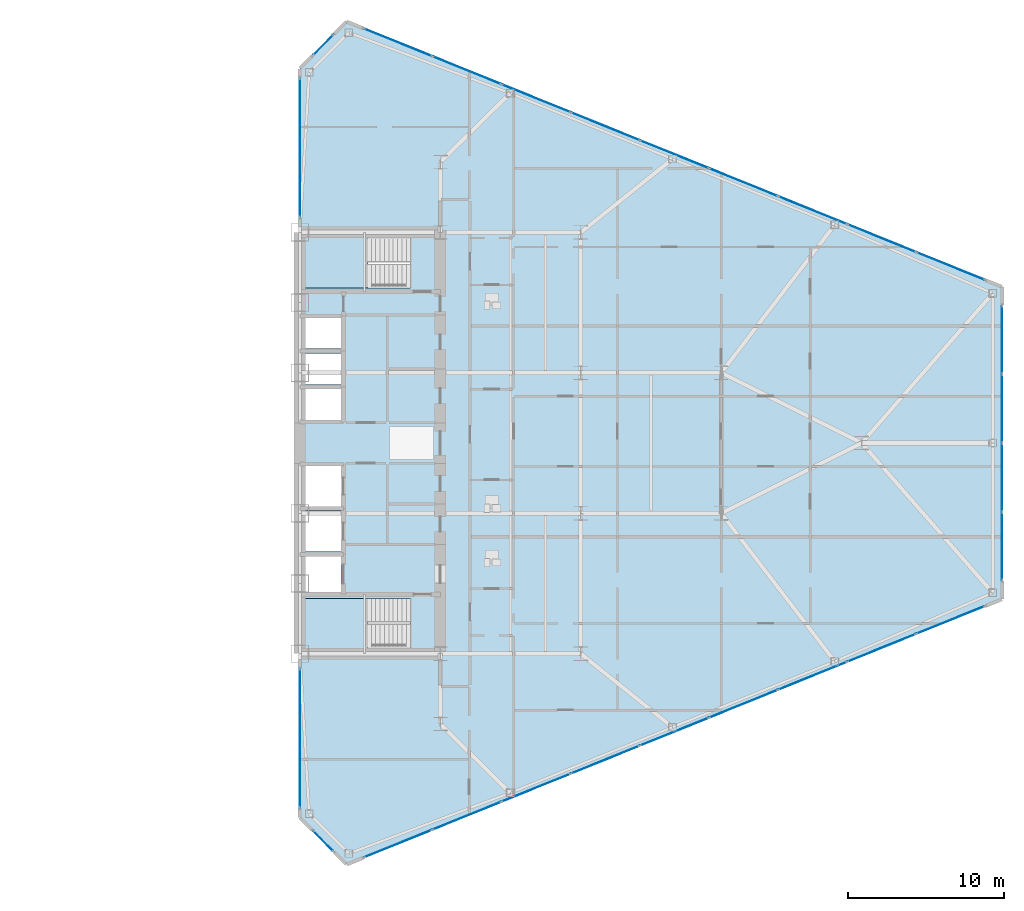
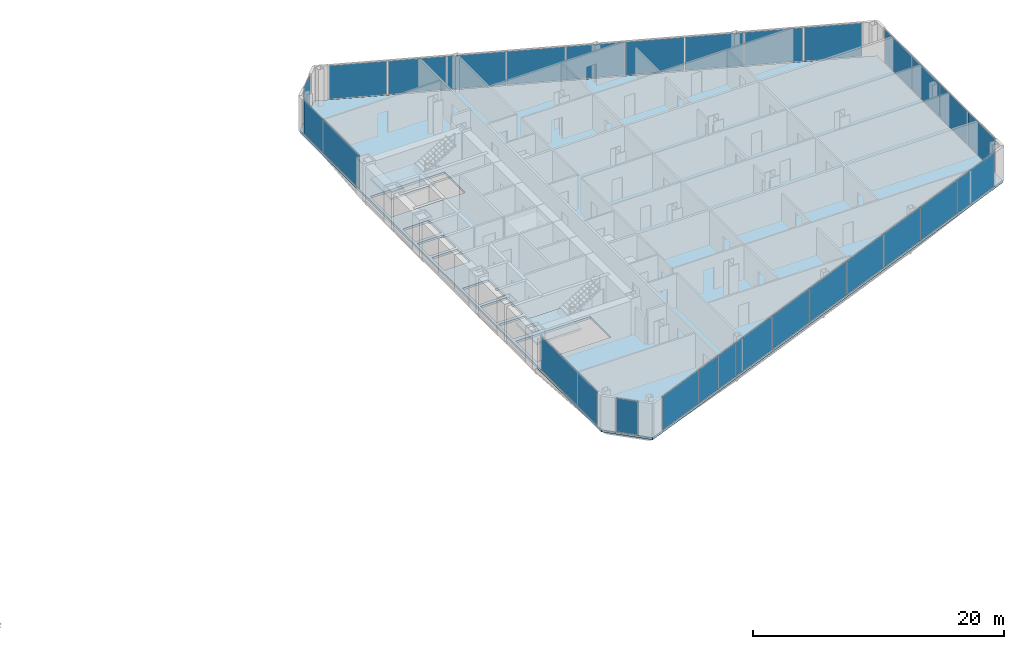
# One storey, part 16 of 25: 26 plates, 3 slabs, 9 elements without a shape of their own.
"""IFC4 building model written with IfcOpenShell, lengths in metres."""

from ifc_helpers import new_model, si_unit, direction, frame, origin, origin_2d, place, context, subcontext, project, spatial, polyline, rectangle, outline, extrude, source, transform, mapped, material, layer, layer_set, type_object, type_shapes, element, aggregate, save


model = new_model("IFC4")

# Units and contexts
model_context = context("Model", 3, precision=1e-05, world=origin(), true_north=direction((0.0, 1.0)))
body_context = subcontext(model_context, "Body", "Model", "MODEL_VIEW")
ifc_project = project(units=[si_unit("LENGTHUNIT", "METRE"), si_unit("AREAUNIT", "SQUARE_METRE"), si_unit("VOLUMEUNIT", "CUBIC_METRE"), si_unit("PLANEANGLEUNIT", "RADIAN"), si_unit("MASSUNIT", "GRAM", prefix="KILO")], contexts=[model_context])

# Site, building, storey
site_placement = place(None, origin())
site = spatial("IfcSite", under=ifc_project, at=site_placement, CompositionType="ELEMENT")
building_placement = place(site_placement, origin())
building = spatial("IfcBuilding", under=site, at=building_placement, Name="Seokmaru Belvedere", CompositionType="ELEMENT")
storey_placement = place(building_placement, frame((0.0, 0.0, 29.699951171875)))
storey = spatial("IfcBuildingStorey", under=building, at=storey_placement, Name="L07", CompositionType="ELEMENT", Elevation=29.699951171875)

# Stair, slab
ifc_material_1 = material(Name="Concrete C40 (40 MPa)", Category="concrete")
stair_type = type_object("IfcStairType", Name="Typical Tower Core Dog-Leg Stair 3600", PredefinedType="TWO_STRAIGHT_RUN_STAIR", material=ifc_material_1)
stair_1_placement = place(storey_placement, origin())
stair_1 = element("IfcStair", 1, at=stair_1_placement, inside=storey, type_object=stair_type, Name="L07 Special Escape Stair ST-E1", PredefinedType="TWO_STRAIGHT_RUN_STAIR")
ifc_layer_1 = layer(ifc_material_1, 0.199951171875)
ifc_layer_set_1 = layer_set([ifc_layer_1], Name="Concrete C40 (40 MPa)")
slab_type_1 = type_object("IfcSlabType", Name="Reinforced Concrete Stair Landing Slab 200", PredefinedType="LANDING", material=ifc_layer_set_1)
slab_1_placement = place(storey_placement, frame((0.0, 0.0, 1.60009765625)))
slab_1 = element("IfcSlab", 2, at=slab_1_placement, type_object=slab_type_1, Name="ST-E1 landing 1", PredefinedType="LANDING", context=body_context, shape_type="SweptSolid", body=[
    extrude(outline(polyline([(27.760009765625, -13.239990234375), (31.8798828125, -13.239990234375), (31.8798828125, -9.949951171875), (27.760009765625, -9.949951171875), (27.760009765625, -13.239990234375)])), origin(), (0.0, 0.0, 1.0), 0.199951171875),
])
aggregate(stair_1, [slab_1])

stair_2_placement = place(storey_placement, origin())
stair_2 = element("IfcStair", 3, at=stair_2_placement, inside=storey, type_object=stair_type, Name="L07 Special Escape Stair ST-E2", PredefinedType="TWO_STRAIGHT_RUN_STAIR")
slab_2_placement = place(storey_placement, frame((0.0, 0.0, 1.60009765625)))
slab_2 = element("IfcSlab", 4, at=slab_2_placement, type_object=slab_type_1, Name="ST-E2 landing 1", PredefinedType="LANDING", context=body_context, shape_type="SweptSolid", body=[
    extrude(outline(polyline([(27.760009765625, 9.949951171875), (31.8798828125, 9.949951171875), (31.8798828125, 13.239990234375), (27.760009765625, 13.239990234375), (27.760009765625, 9.949951171875)])), origin(), (0.0, 0.0, 1.0), 0.199951171875),
])
aggregate(stair_2, [slab_2])

# Slab
ifc_layer_2 = layer(ifc_material_1, 0.219970703125)
ifc_layer_set_2 = layer_set([ifc_layer_2], Name="Concrete C40 (40 MPa)")
slab_type_2 = type_object("IfcSlabType", Name="Typical Tower Composite Floor Slab 220", PredefinedType="FLOOR", material=ifc_layer_set_2)
slab_3_placement = place(storey_placement, frame((0.0, 0.0, -0.219970703125)))
element("IfcSlab", 5, at=slab_3_placement, inside=storey, type_object=slab_type_2, Name="L07 East Leg Floor Slab", PredefinedType="FLOOR", context=body_context, shape_type="SweptSolid", body=[
    extrude(outline(polyline([(30.5, -27.0), (72.5, -10.0), (72.5, 10.0), (30.5, 27.0), (27.5, 24.0), (27.5, -24.0), (30.5, -27.0)]), holes=[polyline([(27.75, -13.25), (34.60009765625, -13.25), (34.60009765625, -9.949951171875), (27.75, -9.949951171875), (27.75, -13.25)]), polyline([(27.75, 9.949951171875), (34.60009765625, 9.949951171875), (34.60009765625, 13.25), (27.75, 13.25), (27.75, 9.949951171875)]), polyline([(27.75, -9.550048828125), (30.14990234375, -9.550048828125), (30.14990234375, -7.25), (27.75, -7.25), (27.75, -9.550048828125)]), polyline([(27.75, -6.949951171875), (30.14990234375, -6.949951171875), (30.14990234375, -4.35009765625), (27.75, -4.35009765625), (27.75, -6.949951171875)]), polyline([(27.75, -4.050048828125), (30.14990234375, -4.050048828125), (30.14990234375, -1.449951171875), (27.75, -1.449951171875), (27.75, -4.050048828125)]), polyline([(27.75, 1.449951171875), (30.14990234375, 1.449951171875), (30.14990234375, 3.449951171875), (27.75, 3.449951171875), (27.75, 1.449951171875)]), polyline([(27.75, 3.75), (30.14990234375, 3.75), (30.14990234375, 5.75), (27.75, 5.75), (27.75, 3.75)]), polyline([(27.75, 6.050048828125), (30.14990234375, 6.050048828125), (30.14990234375, 8.050048828125), (27.75, 8.050048828125), (27.75, 6.050048828125)])]), origin(), (0.0, 0.0, 1.0), 0.219970703125),
])

# Curtain wall, plate
ifc_material_2 = material(Name="Bronze Triple Insulating Glass", Category="glass")
ifc_layer_3 = layer(ifc_material_2, 0.2099609375)
ifc_layer_set_3 = layer_set([ifc_layer_3], Name="Bronze Triple Insulating Glass")
curtain_wall_type = type_object("IfcCurtainWallType", Name="Low-Rise Faceted Crystal Curtain Wall System CW-2", PredefinedType="NOTDEFINED", material=ifc_layer_set_3)
curtain_wall_1_placement = place(storey_placement, origin())
curtain_wall_1 = element("IfcCurtainWall", 6, at=curtain_wall_1_placement, inside=storey, type_object=curtain_wall_type, Name="L07 Curtain Wall ESP_1", PredefinedType="NOTDEFINED")
ifc_layer_4 = layer(ifc_material_2, 0.035888671875)
ifc_layer_set_4 = layer_set([ifc_layer_4], Name="Bronze Triple Insulating Glass")
plate_type = type_object("IfcPlateType", Name="Bronze Triple Vision Glazing Panel 36", PredefinedType="CURTAIN_PANEL", material=ifc_layer_set_4)
shared_shape_1 = source(origin(), body_context, "Body", "SweptSolid", [
    extrude(rectangle(XDim=8.85009765625, YDim=0.035888671875, at=origin_2d()), origin(), (0.0, 0.0, 1.0), 3.239990234375),
])
plate_1_placement = place(storey_placement, frame((27.5, -18.929931640625, 0.06982421875), z_axis=(0.0, 0.0, 1.0), x_axis=(0.0, -1.0, 0.0)))
plate_1 = element("IfcPlate", 7, at=plate_1_placement, type_object=plate_type, Name="CW:L07:ESP_1 Glazing Panel 1-1", PredefinedType="CURTAIN_PANEL", context=body_context, shape_type="MappedRepresentation", body=[
    mapped(shared_shape_1, transform((0.0, 0.0, 0.0), scale=1.0)),
])
aggregate(curtain_wall_1, [plate_1])

curtain_wall_2_placement = place(storey_placement, origin())
curtain_wall_2 = element("IfcCurtainWall", 8, at=curtain_wall_2_placement, inside=storey, type_object=curtain_wall_type, Name="L07 Curtain Wall ESP_2", PredefinedType="NOTDEFINED")
plate_2_placement = place(storey_placement, frame((27.5, 18.929931640625, 0.06982421875), z_axis=(0.0, 0.0, 1.0), x_axis=(0.0, -1.0, 0.0)))
plate_2 = element("IfcPlate", 9, at=plate_2_placement, type_object=plate_type, Name="CW:L07:ESP_2 Glazing Panel 1-1", PredefinedType="CURTAIN_PANEL", context=body_context, shape_type="MappedRepresentation", body=[
    mapped(shared_shape_1, transform((0.0, 0.0, 0.0), scale=1.0)),
])
aggregate(curtain_wall_2, [plate_2])

curtain_wall_3_placement = place(storey_placement, origin())
curtain_wall_3 = element("IfcCurtainWall", 10, at=curtain_wall_3_placement, inside=storey, type_object=curtain_wall_type, Name="L07 Curtain Wall EF4", PredefinedType="NOTDEFINED")
shared_shape_2 = source(origin(), body_context, "Body", "SweptSolid", [
    extrude(rectangle(XDim=1.79248046875, YDim=0.035888671875, at=origin_2d()), origin(), (0.0, 0.0, 1.0), 3.239990234375),
])
plate_3_placement = place(storey_placement, frame((29.0, 25.5, 0.06982421875), z_axis=(0.0, 0.0, 1.0), x_axis=(-0.707106781187, -0.707106781187, 0.0)))
plate_3 = element("IfcPlate", 11, at=plate_3_placement, type_object=plate_type, Name="CW:L07:EF4 Glazing Panel 1-1", PredefinedType="CURTAIN_PANEL", context=body_context, shape_type="MappedRepresentation", body=[
    mapped(shared_shape_2, transform((0.0, 0.0, 0.0), scale=1.0)),
])
aggregate(curtain_wall_3, [plate_3])

curtain_wall_4_placement = place(storey_placement, origin())
curtain_wall_4 = element("IfcCurtainWall", 12, at=curtain_wall_4_placement, inside=storey, type_object=curtain_wall_type, Name="L07 Curtain Wall EF6", PredefinedType="NOTDEFINED")
plate_4_placement = place(storey_placement, frame((29.0, -25.5, 0.06982421875), z_axis=(0.0, 0.0, 1.0), x_axis=(0.707106781187, -0.707106781187, 0.0)))
plate_4 = element("IfcPlate", 13, at=plate_4_placement, type_object=plate_type, Name="CW:L07:EF6 Glazing Panel 1-1", PredefinedType="CURTAIN_PANEL", context=body_context, shape_type="MappedRepresentation", body=[
    mapped(shared_shape_2, transform((0.0, 0.0, 0.0), scale=1.0)),
])
aggregate(curtain_wall_4, [plate_4])

# Curtain wall, plates
curtain_wall_5_placement = place(storey_placement, origin())
curtain_wall_5 = element("IfcCurtainWall", 14, at=curtain_wall_5_placement, inside=storey, type_object=curtain_wall_type, Name="L07 Curtain Wall EF1", PredefinedType="NOTDEFINED")
shared_shape_3 = source(origin(), body_context, "Body", "SweptSolid", [
    extrude(rectangle(XDim=4.66650390625, YDim=0.035888671875, at=origin_2d()), origin(), (0.0, 0.0, 1.0), 3.239990234375),
])
plate_5_placement = place(storey_placement, frame((33.79833984375, -25.6650390625, 0.06982421875), z_axis=(0.0, 0.0, 1.0), x_axis=(0.926946989637, 0.375192321888, 0.0)))
plate_5 = element("IfcPlate", 15, at=plate_5_placement, type_object=plate_type, Name="CW:L07:EF1 Glazing Panel 1-1", PredefinedType="CURTAIN_PANEL", context=body_context, shape_type="MappedRepresentation", body=[
    mapped(shared_shape_3, transform((0.0, 0.0, 0.0), scale=1.0)),
])
plate_6_placement = place(storey_placement, frame((69.20166015625, -11.3349609375, 0.06982421875), z_axis=(0.0, 0.0, 1.0), x_axis=(0.926946989637, 0.375192321888, 0.0)))
plate_6 = element("IfcPlate", 16, at=plate_6_placement, type_object=plate_type, Name="CW:L07:EF1 Glazing Panel 9-1", PredefinedType="CURTAIN_PANEL", context=body_context, shape_type="MappedRepresentation", body=[
    mapped(shared_shape_3, transform((0.0, 0.0, 0.0), scale=1.0)),
])

curtain_wall_6_placement = place(storey_placement, origin())
curtain_wall_6 = element("IfcCurtainWall", 17, at=curtain_wall_6_placement, inside=storey, type_object=curtain_wall_type, Name="L07 Curtain Wall EF3", PredefinedType="NOTDEFINED")
plate_7_placement = place(storey_placement, frame((69.20166015625, 11.3349609375, 0.06982421875), z_axis=(0.0, 0.0, 1.0), x_axis=(-0.926946989637, 0.375192321888, 0.0)))
plate_7 = element("IfcPlate", 18, at=plate_7_placement, type_object=plate_type, Name="CW:L07:EF3 Glazing Panel 1-1", PredefinedType="CURTAIN_PANEL", context=body_context, shape_type="MappedRepresentation", body=[
    mapped(shared_shape_3, transform((0.0, 0.0, 0.0), scale=1.0)),
])
plate_8_placement = place(storey_placement, frame((33.79833984375, 25.6650390625, 0.06982421875), z_axis=(0.0, 0.0, 1.0), x_axis=(-0.926946989637, 0.375192321888, 0.0)))
plate_8 = element("IfcPlate", 19, at=plate_8_placement, type_object=plate_type, Name="CW:L07:EF3 Glazing Panel 9-1", PredefinedType="CURTAIN_PANEL", context=body_context, shape_type="MappedRepresentation", body=[
    mapped(shared_shape_3, transform((0.0, 0.0, 0.0), scale=1.0)),
])

# Plate
shared_shape_4 = source(origin(), body_context, "Body", "SweptSolid", [
    extrude(rectangle(XDim=4.703857421875, YDim=0.035888671875, at=origin_2d()), origin(), (0.0, 0.0, 1.0), 3.239990234375),
])
plate_9_placement = place(storey_placement, frame((38.210693359375, -23.87890625, 0.06982421875), z_axis=(0.0, 0.0, 1.0), x_axis=(0.926946989637, 0.375192321888, 0.0)))
plate_9 = element("IfcPlate", 20, at=plate_9_placement, type_object=plate_type, Name="CW:L07:EF1 Glazing Panel 2-1", PredefinedType="CURTAIN_PANEL", context=body_context, shape_type="MappedRepresentation", body=[
    mapped(shared_shape_4, transform((0.0, 0.0, 0.0), scale=1.0)),
])

plate_10_placement = place(storey_placement, frame((42.640380859375, -22.0859375, 0.06982421875), z_axis=(0.0, 0.0, 1.0), x_axis=(0.926946989637, 0.375192321888, 0.0)))
plate_10 = element("IfcPlate", 21, at=plate_10_placement, type_object=plate_type, Name="CW:L07:EF1 Glazing Panel 3-1", PredefinedType="CURTAIN_PANEL", context=body_context, shape_type="MappedRepresentation", body=[
    mapped(shared_shape_4, transform((0.0, 0.0, 0.0), scale=1.0)),
])

plate_11_placement = place(storey_placement, frame((47.0703125, -20.29296875, 0.06982421875), z_axis=(0.0, 0.0, 1.0), x_axis=(0.926946989637, 0.375192321888, 0.0)))
plate_11 = element("IfcPlate", 22, at=plate_11_placement, type_object=plate_type, Name="CW:L07:EF1 Glazing Panel 4-1", PredefinedType="CURTAIN_PANEL", context=body_context, shape_type="MappedRepresentation", body=[
    mapped(shared_shape_4, transform((0.0, 0.0, 0.0), scale=1.0)),
])

plate_12_placement = place(storey_placement, frame((51.5, -18.5, 0.06982421875), z_axis=(0.0, 0.0, 1.0), x_axis=(0.926946989637, 0.375192321888, 0.0)))
plate_12 = element("IfcPlate", 23, at=plate_12_placement, type_object=plate_type, Name="CW:L07:EF1 Glazing Panel 5-1", PredefinedType="CURTAIN_PANEL", context=body_context, shape_type="MappedRepresentation", body=[
    mapped(shared_shape_4, transform((0.0, 0.0, 0.0), scale=1.0)),
])

plate_13_placement = place(storey_placement, frame((55.9296875, -16.70703125, 0.06982421875), z_axis=(0.0, 0.0, 1.0), x_axis=(0.926946989637, 0.375192321888, 0.0)))
plate_13 = element("IfcPlate", 24, at=plate_13_placement, type_object=plate_type, Name="CW:L07:EF1 Glazing Panel 6-1", PredefinedType="CURTAIN_PANEL", context=body_context, shape_type="MappedRepresentation", body=[
    mapped(shared_shape_4, transform((0.0, 0.0, 0.0), scale=1.0)),
])

plate_14_placement = place(storey_placement, frame((60.359619140625, -14.9140625, 0.06982421875), z_axis=(0.0, 0.0, 1.0), x_axis=(0.926946989637, 0.375192321888, 0.0)))
plate_14 = element("IfcPlate", 25, at=plate_14_placement, type_object=plate_type, Name="CW:L07:EF1 Glazing Panel 7-1", PredefinedType="CURTAIN_PANEL", context=body_context, shape_type="MappedRepresentation", body=[
    mapped(shared_shape_4, transform((0.0, 0.0, 0.0), scale=1.0)),
])

plate_15_placement = place(storey_placement, frame((64.789306640625, -13.12109375, 0.06982421875), z_axis=(0.0, 0.0, 1.0), x_axis=(0.926946989637, 0.375192321888, 0.0)))
plate_15 = element("IfcPlate", 26, at=plate_15_placement, type_object=plate_type, Name="CW:L07:EF1 Glazing Panel 8-1", PredefinedType="CURTAIN_PANEL", context=body_context, shape_type="MappedRepresentation", body=[
    mapped(shared_shape_4, transform((0.0, 0.0, 0.0), scale=1.0)),
])

aggregate(curtain_wall_5, [plate_5, plate_9, plate_10, plate_11, plate_12, plate_13, plate_14, plate_15, plate_6])

plate_16_placement = place(storey_placement, frame((64.789306640625, 13.12109375, 0.06982421875), z_axis=(0.0, 0.0, 1.0), x_axis=(-0.926946989637, 0.375192321888, 0.0)))
plate_16 = element("IfcPlate", 27, at=plate_16_placement, type_object=plate_type, Name="CW:L07:EF3 Glazing Panel 2-1", PredefinedType="CURTAIN_PANEL", context=body_context, shape_type="MappedRepresentation", body=[
    mapped(shared_shape_4, transform((0.0, 0.0, 0.0), scale=1.0)),
])

plate_17_placement = place(storey_placement, frame((60.359619140625, 14.9140625, 0.06982421875), z_axis=(0.0, 0.0, 1.0), x_axis=(-0.926946989637, 0.375192321888, 0.0)))
plate_17 = element("IfcPlate", 28, at=plate_17_placement, type_object=plate_type, Name="CW:L07:EF3 Glazing Panel 3-1", PredefinedType="CURTAIN_PANEL", context=body_context, shape_type="MappedRepresentation", body=[
    mapped(shared_shape_4, transform((0.0, 0.0, 0.0), scale=1.0)),
])

plate_18_placement = place(storey_placement, frame((55.9296875, 16.70703125, 0.06982421875), z_axis=(0.0, 0.0, 1.0), x_axis=(-0.926946989637, 0.375192321888, 0.0)))
plate_18 = element("IfcPlate", 29, at=plate_18_placement, type_object=plate_type, Name="CW:L07:EF3 Glazing Panel 4-1", PredefinedType="CURTAIN_PANEL", context=body_context, shape_type="MappedRepresentation", body=[
    mapped(shared_shape_4, transform((0.0, 0.0, 0.0), scale=1.0)),
])

plate_19_placement = place(storey_placement, frame((51.5, 18.5, 0.06982421875), z_axis=(0.0, 0.0, 1.0), x_axis=(-0.926946989637, 0.375192321888, 0.0)))
plate_19 = element("IfcPlate", 30, at=plate_19_placement, type_object=plate_type, Name="CW:L07:EF3 Glazing Panel 5-1", PredefinedType="CURTAIN_PANEL", context=body_context, shape_type="MappedRepresentation", body=[
    mapped(shared_shape_4, transform((0.0, 0.0, 0.0), scale=1.0)),
])

plate_20_placement = place(storey_placement, frame((47.0703125, 20.29296875, 0.06982421875), z_axis=(0.0, 0.0, 1.0), x_axis=(-0.926946989637, 0.375192321888, 0.0)))
plate_20 = element("IfcPlate", 31, at=plate_20_placement, type_object=plate_type, Name="CW:L07:EF3 Glazing Panel 6-1", PredefinedType="CURTAIN_PANEL", context=body_context, shape_type="MappedRepresentation", body=[
    mapped(shared_shape_4, transform((0.0, 0.0, 0.0), scale=1.0)),
])

plate_21_placement = place(storey_placement, frame((42.640380859375, 22.0859375, 0.06982421875), z_axis=(0.0, 0.0, 1.0), x_axis=(-0.926946989637, 0.375192321888, 0.0)))
plate_21 = element("IfcPlate", 32, at=plate_21_placement, type_object=plate_type, Name="CW:L07:EF3 Glazing Panel 7-1", PredefinedType="CURTAIN_PANEL", context=body_context, shape_type="MappedRepresentation", body=[
    mapped(shared_shape_4, transform((0.0, 0.0, 0.0), scale=1.0)),
])

plate_22_placement = place(storey_placement, frame((38.210693359375, 23.87890625, 0.06982421875), z_axis=(0.0, 0.0, 1.0), x_axis=(-0.926946989637, 0.375192321888, 0.0)))
plate_22 = element("IfcPlate", 33, at=plate_22_placement, type_object=plate_type, Name="CW:L07:EF3 Glazing Panel 8-1", PredefinedType="CURTAIN_PANEL", context=body_context, shape_type="MappedRepresentation", body=[
    mapped(shared_shape_4, transform((0.0, 0.0, 0.0), scale=1.0)),
])

aggregate(curtain_wall_6, [plate_7, plate_16, plate_17, plate_18, plate_19, plate_20, plate_21, plate_22, plate_8])

# Curtain wall, plates
curtain_wall_7_placement = place(storey_placement, origin())
curtain_wall_7 = element("IfcCurtainWall", 34, at=curtain_wall_7_placement, inside=storey, type_object=curtain_wall_type, Name="L07 Curtain Wall EF2", PredefinedType="NOTDEFINED")
shared_shape_5 = source(origin(), body_context, "Body", "SweptSolid", [
    extrude(rectangle(XDim=4.3125, YDim=0.035888671875, at=origin_2d()), origin(), (0.0, 0.0, 1.0), 3.239990234375),
])
plate_23_placement = place(storey_placement, frame((72.5, -6.61865234375, 0.06982421875), z_axis=(0.0, 0.0, 1.0), x_axis=(0.0, 1.0, 0.0)))
plate_23 = element("IfcPlate", 35, at=plate_23_placement, type_object=plate_type, Name="CW:L07:EF2 Glazing Panel 1-1", PredefinedType="CURTAIN_PANEL", context=body_context, shape_type="MappedRepresentation", body=[
    mapped(shared_shape_5, transform((0.0, 0.0, 0.0), scale=1.0)),
])
plate_24_placement = place(storey_placement, frame((72.5, 6.61865234375, 0.06982421875), z_axis=(0.0, 0.0, 1.0), x_axis=(0.0, 1.0, 0.0)))
plate_24 = element("IfcPlate", 36, at=plate_24_placement, type_object=plate_type, Name="CW:L07:EF2 Glazing Panel 4-1", PredefinedType="CURTAIN_PANEL", context=body_context, shape_type="MappedRepresentation", body=[
    mapped(shared_shape_5, transform((0.0, 0.0, 0.0), scale=1.0)),
])
shared_shape_6 = source(origin(), body_context, "Body", "SweptSolid", [
    extrude(rectangle(XDim=4.35009765625, YDim=0.035888671875, at=origin_2d()), origin(), (0.0, 0.0, 1.0), 3.239990234375),
])
type_shapes(plate_type, [shared_shape_1, shared_shape_2, shared_shape_3, shared_shape_4, shared_shape_5, shared_shape_6])
plate_25_placement = place(storey_placement, frame((72.5, -2.21240234375, 0.06982421875), z_axis=(0.0, 0.0, 1.0), x_axis=(0.0, 1.0, 0.0)))
plate_25 = element("IfcPlate", 37, at=plate_25_placement, type_object=plate_type, Name="CW:L07:EF2 Glazing Panel 2-1", PredefinedType="CURTAIN_PANEL", context=body_context, shape_type="MappedRepresentation", body=[
    mapped(shared_shape_6, transform((0.0, 0.0, 0.0), scale=1.0)),
])
plate_26_placement = place(storey_placement, frame((72.5, 2.21240234375, 0.06982421875), z_axis=(0.0, 0.0, 1.0), x_axis=(0.0, 1.0, 0.0)))
plate_26 = element("IfcPlate", 38, at=plate_26_placement, type_object=plate_type, Name="CW:L07:EF2 Glazing Panel 3-1", PredefinedType="CURTAIN_PANEL", context=body_context, shape_type="MappedRepresentation", body=[
    mapped(shared_shape_6, transform((0.0, 0.0, 0.0), scale=1.0)),
])
aggregate(curtain_wall_7, [plate_23, plate_25, plate_26, plate_24])

save(model, "model.ifc")
